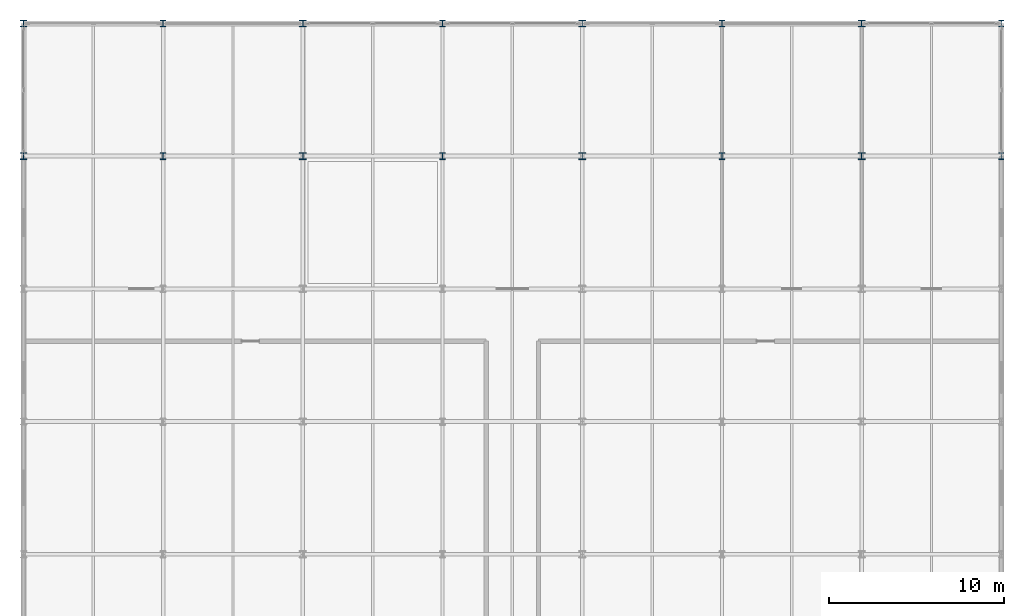
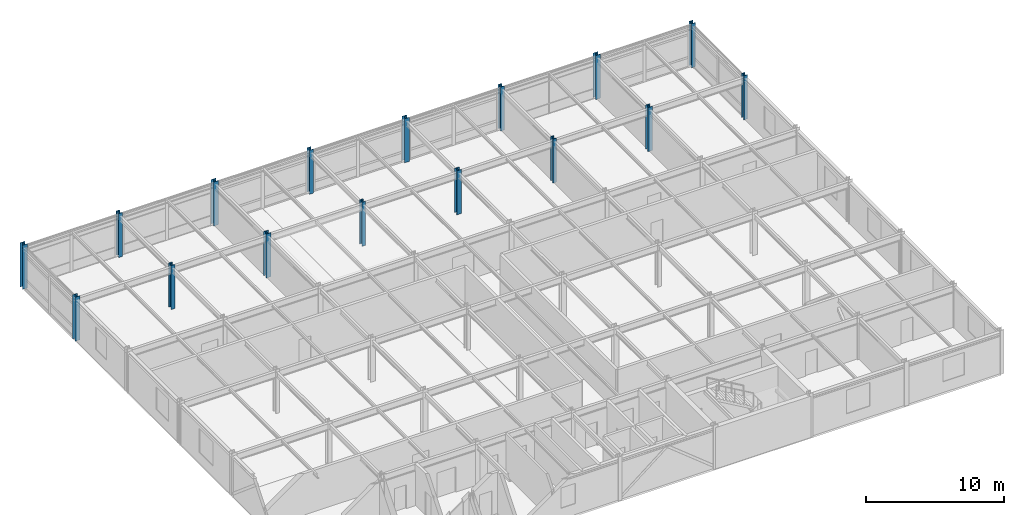
# One storey, part 3 of 14: 16 columns.
"""IFC4 building model written with IfcOpenShell, lengths in metres."""

from ifc_helpers import new_model, si_unit, direction, frame, origin, origin_2d, place, context, subcontext, project, spatial, i_section, extrude, material, material_profile, profile_set, type_object, element, save


model = new_model("IFC4")

# Units and contexts
model_context = context("Model", 3, precision=1e-05, world=origin(), true_north=direction((0.0, 1.0)))
body_context = subcontext(model_context, "Body", "Model", "MODEL_VIEW")
ifc_project = project(units=[si_unit("LENGTHUNIT", "METRE"), si_unit("AREAUNIT", "SQUARE_METRE"), si_unit("VOLUMEUNIT", "CUBIC_METRE"), si_unit("PLANEANGLEUNIT", "RADIAN"), si_unit("MASSUNIT", "GRAM", prefix="KILO")], contexts=[model_context])

# Site, building, storey
site_placement = place(None, origin())
site = spatial("IfcSite", under=ifc_project, at=site_placement, CompositionType="ELEMENT")
building_placement = place(site_placement, origin())
building = spatial("IfcBuilding", under=site, at=building_placement, Name="Shalkamar Park Central Library", CompositionType="ELEMENT")
storey_placement = place(building_placement, frame((0.0, 0.0, 28.199951171875)))
storey = spatial("IfcBuildingStorey", under=building, at=storey_placement, Name="L07", CompositionType="ELEMENT", Elevation=28.199951171875)

# Columns
ifc_material = material(Name="Steel S355", Category="steel")
ifc_material_profile_1 = material_profile(ifc_material, i_section(OverallWidth=0.39794921875, OverallDepth=0.386962890625, WebThickness=0.02099609375, FlangeThickness=0.033203125, FilletRadius=0.014892578125, at=origin_2d()), Name="HD 400x262")
ifc_profile_set_1 = profile_set([ifc_material_profile_1], Name="Steel S355")
column_type_1 = type_object("IfcColumnType", Name="Column Steel HD400x262", PredefinedType="COLUMN", material=ifc_profile_set_1)
for number, where, z_axis, x_axis, name in (
    (1, (165.0, 285.60009765625, 0.0), (0.0, 0.0, 1.0), (1.0, 0.0, 0.0), "Column 07/G (L07)"),
    (2, (165.0, 293.199951171875, 0.0), (0.0, 0.0, 1.0), (1.0, 0.0, 0.0), "Column 07/H (L07)"),
    (3, (181.0, 285.60009765625, 0.0), (0.0, 0.0, 1.0), (1.0, 0.0, 0.0), "Column 09/G (L07)"),
    (4, (181.0, 293.199951171875, 0.0), (0.0, 0.0, 1.0), (1.0, 0.0, 0.0), "Column 09/H (L07)"),
    (5, (197.0, 285.60009765625, 0.0), (0.0, 0.0, 1.0), (1.0, 0.0, 0.0), "Column 11/G (L07)"),
    (6, (197.0, 293.199951171875, 0.0), (0.0, 0.0, 1.0), (1.0, 0.0, 0.0), "Column 11/H (L07)"),
    (7, (213.0, 285.60009765625, 0.0), (0.0, 0.0, 1.0), (1.0, 0.0, 0.0), "Column 13/G (L07)"),
    (8, (213.0, 293.199951171875, 0.0), (0.0, 0.0, 1.0), (1.0, 0.0, 0.0), "Column 13/H (L07)"),
):
    element("IfcColumn", number, at=place(storey_placement, frame(where, z_axis=z_axis, x_axis=x_axis)), inside=storey, type_object=column_type_1, Name=name, PredefinedType="COLUMN", context=body_context, shape_type="SweptSolid", body=[
        extrude(i_section(OverallWidth=0.39794921875, OverallDepth=0.386962890625, WebThickness=0.02099609375, FlangeThickness=0.033203125, FilletRadius=0.014892578125, at=origin_2d()), origin(), (0.0, 0.0, 1.0), 3.900146484375),
    ])
ifc_material_profile_2 = material_profile(ifc_material, i_section(OverallWidth=0.30810546875, OverallDepth=0.39501953125, WebThickness=0.02099609375, FlangeThickness=0.0400390625, FilletRadius=0.027099609375, at=origin_2d()), Name="HEM 360")
ifc_profile_set_2 = profile_set([ifc_material_profile_2], Name="Steel S355")
column_type_2 = type_object("IfcColumnType", Name="Column Steel HEM360", PredefinedType="COLUMN", material=ifc_profile_set_2)
for number, where, z_axis, x_axis, name in (
    (9, (173.0, 285.60009765625, 0.0), (0.0, 0.0, 1.0), (1.0, 0.0, 0.0), "Column 08/G (L07)"),
    (10, (173.0, 293.199951171875, 0.0), (0.0, 0.0, 1.0), (1.0, 0.0, 0.0), "Column 08/H (L07)"),
    (11, (189.0, 285.60009765625, 0.0), (0.0, 0.0, 1.0), (1.0, 0.0, 0.0), "Column 10/G (L07)"),
    (12, (189.0, 293.199951171875, 0.0), (0.0, 0.0, 1.0), (1.0, 0.0, 0.0), "Column 10/H (L07)"),
    (13, (205.0, 285.60009765625, 0.0), (0.0, 0.0, 1.0), (1.0, 0.0, 0.0), "Column 12/G (L07)"),
    (14, (205.0, 293.199951171875, 0.0), (0.0, 0.0, 1.0), (1.0, 0.0, 0.0), "Column 12/H (L07)"),
    (15, (221.0, 285.60009765625, 0.0), (0.0, 0.0, 1.0), (1.0, 0.0, 0.0), "Column 14/G (L07)"),
    (16, (221.0, 293.199951171875, 0.0), (0.0, 0.0, 1.0), (1.0, 0.0, 0.0), "Column 14/H (L07)"),
):
    element("IfcColumn", number, at=place(storey_placement, frame(where, z_axis=z_axis, x_axis=x_axis)), inside=storey, type_object=column_type_2, Name=name, PredefinedType="COLUMN", context=body_context, shape_type="SweptSolid", body=[
        extrude(i_section(OverallWidth=0.30810546875, OverallDepth=0.39501953125, WebThickness=0.02099609375, FlangeThickness=0.0400390625, FilletRadius=0.027099609375, at=origin_2d()), origin(), (0.0, 0.0, 1.0), 3.900146484375),
    ])

save(model, "model.ifc")
